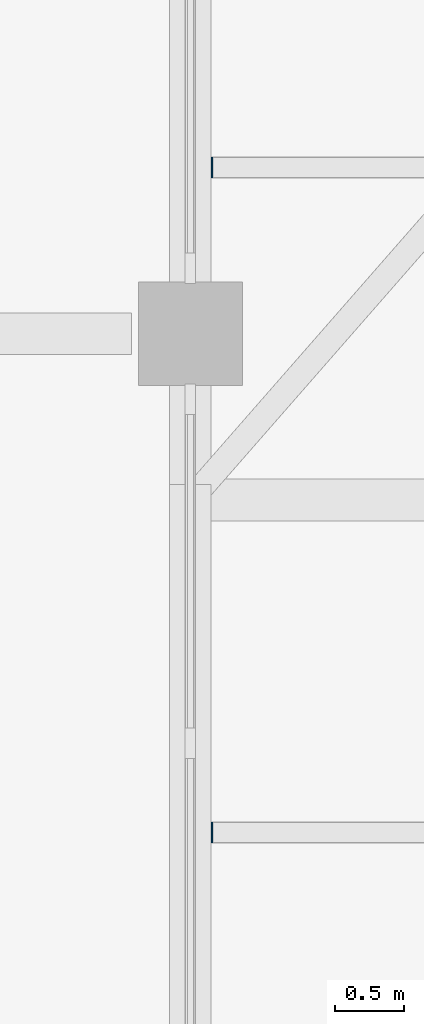
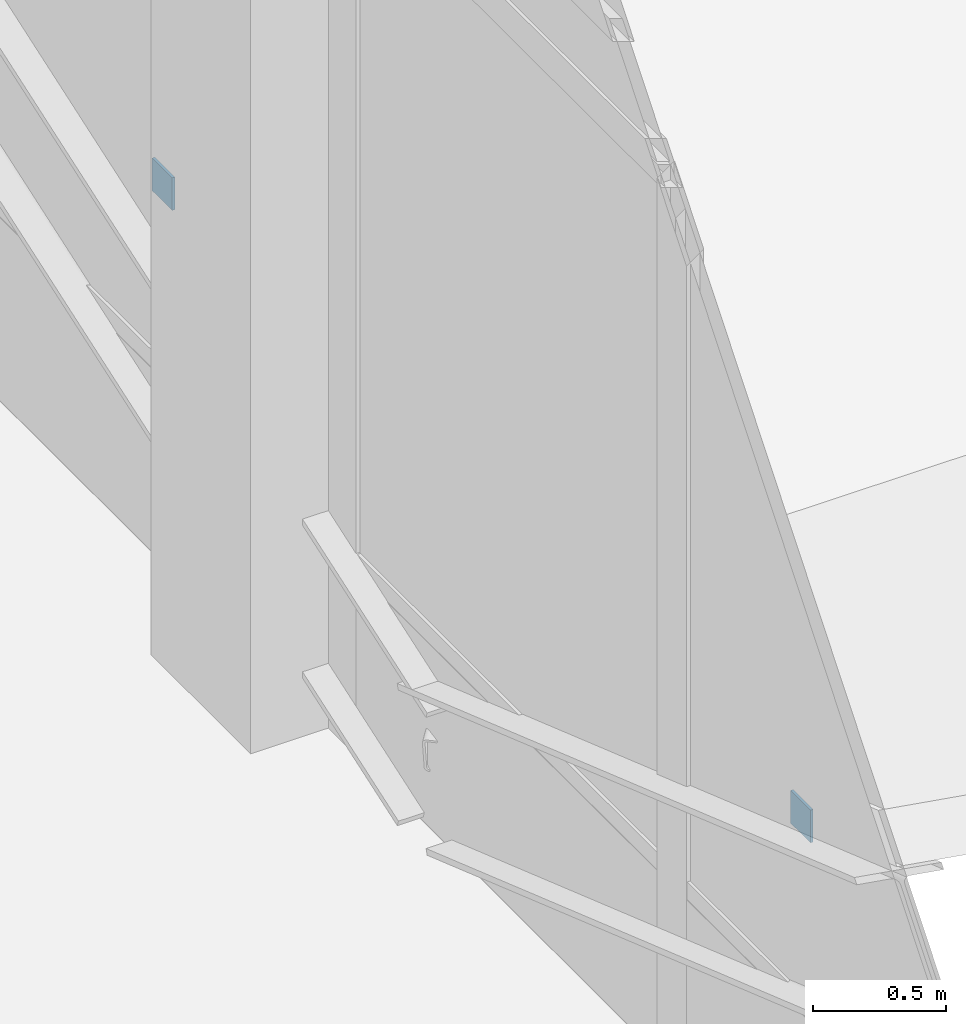
# One storey, part 101 of 110: 2 discrete accessories.
"""IFC4 building model written with IfcOpenShell, lengths in metres."""

import ifcopenshell
import ifcopenshell.guid

model = None  # the IFC model being written
_history = None  # IfcOwnerHistory: only IFC2X3 demands one
_inside = {}  # id of a spatial element -> (the spatial element, [elements in it])
_under = {}  # id of a project, library or spatial element -> (it, [spatial elements below it])
_declared = {}  # id of a project -> (the project, [libraries it declares])
_typed = {}  # id of a type object -> (the type object, [elements of that type])
_made_of = {}  # id of a material, layer set ... -> (it, [elements and type objects made of it])


def new_model(schema):
    """Start an empty IFC model of exactly this schema.

    Asked for "IFC4X3", IfcOpenShell would pick the latest addendum, in which some entities
    have other attributes; the version numbers below select the first issue.
    IFC2X3 requires an IfcOwnerHistory on every rooted entity: one is made here for all.
    """
    global model, _history
    if schema == "IFC4X3":
        model = ifcopenshell.file(schema_version=(4, 3, 0, 0))
    else:
        model = ifcopenshell.file(schema=schema)
    _inside.clear()
    _under.clear()
    _declared.clear()
    _typed.clear()
    _made_of.clear()
    _history = None
    if model.schema == "IFC2X3":
        org = make("IfcOrganization", Name="unknown")
        user = make(
            "IfcPersonAndOrganization",
            ThePerson=make("IfcPerson", FamilyName="unknown"),
            TheOrganization=org,
        )
        app = make(
            "IfcApplication",
            ApplicationDeveloper=org,
            Version="unknown",
            ApplicationFullName="unknown",
            ApplicationIdentifier="unknown",
        )
        _history = make(
            "IfcOwnerHistory",
            OwningUser=user,
            OwningApplication=app,
            ChangeAction="ADDED",
            CreationDate=0,
        )
    return model


def make(cls, **values):
    """One entity of the class cls with the attributes given. An attribute that is None is left unset."""
    return model.create_entity(
        cls, **{name: value for name, value in values.items() if value is not None}
    )


def rooted(cls, **values):
    """An entity with a GlobalId (a new one), such as an element, a storey or a relation."""
    return make(cls, GlobalId=ifcopenshell.guid.new(), OwnerHistory=_history, **values)


def si_unit(unit_type, name, prefix=None):
    """IfcSIUnit, for example si_unit("LENGTHUNIT", "METRE", prefix="MILLI")."""
    return make("IfcSIUnit", UnitType=unit_type, Prefix=prefix, Name=name)


def assignment(units):
    """IfcUnitAssignment: the units of a project."""
    return None if units is None else make("IfcUnitAssignment", Units=units)


def point(xyz):
    """IfcCartesianPoint."""
    return None if xyz is None else make("IfcCartesianPoint", Coordinates=xyz)


def direction(xyz):
    """IfcDirection."""
    return None if xyz is None else make("IfcDirection", DirectionRatios=xyz)


def frame(location, z_axis=None, x_axis=None):
    """IfcAxis2Placement3D, a coordinate frame: its origin and axes. An axis left out is left unset."""
    return make(
        "IfcAxis2Placement3D",
        Location=point(location),
        Axis=direction(z_axis),
        RefDirection=direction(x_axis),
    )


def frame_2d(location, x_axis=None):
    """IfcAxis2Placement2D, a coordinate frame in the plane: its origin and x axis."""
    return make(
        "IfcAxis2Placement2D", Location=point(location), RefDirection=direction(x_axis)
    )


def origin():
    """The frame at (0, 0, 0) with its axes left unset."""
    return frame((0.0, 0.0, 0.0))


def origin_2d():
    """The frame at (0, 0) in the plane with its x axis left unset."""
    return frame_2d((0.0, 0.0))


def place(relative_to, where):
    """IfcLocalPlacement: puts the frame where relative to a parent placement (None: the world)."""
    return make(
        "IfcLocalPlacement", PlacementRelTo=relative_to, RelativePlacement=where
    )


def context(
    kind, dimensions, precision=None, world=None, true_north=None, identifier=None
):
    """IfcGeometricRepresentationContext, for example the 3D "Model" context."""
    return make(
        "IfcGeometricRepresentationContext",
        ContextIdentifier=identifier,
        ContextType=kind,
        CoordinateSpaceDimension=dimensions,
        Precision=precision,
        WorldCoordinateSystem=world,
        TrueNorth=true_north,
    )


def subcontext(parent, identifier, kind, view, scale=None):
    """IfcGeometricRepresentationSubContext, for example "Body" below "Model"."""
    return make(
        "IfcGeometricRepresentationSubContext",
        ContextIdentifier=identifier,
        ContextType=kind,
        ParentContext=parent,
        TargetScale=scale,
        TargetView=view,
    )


def project(units=None, contexts=None):
    """IfcProject with its units and contexts."""
    return rooted(
        "IfcProject",
        Name="project",
        RepresentationContexts=contexts,
        UnitsInContext=assignment(units),
    )


def spatial(cls, under=None, at=None, **own):
    """A site, building, storey or space (cls), placed at a placement, below another one or the project."""
    s = rooted(cls, ObjectPlacement=at, **own)
    if under is not None:
        _under.setdefault(under.id(), (under, []))[1].append(s)
    return s


def profile(cls, at=None, kind="AREA", **sizes):
    """A parametric profile (cls). Its sizes go by their IFC names, for example OverallWidth=200.0."""
    return make(cls, ProfileType=kind, Position=at, **sizes)


def rectangle(**sizes):
    """IfcRectangleProfileDef."""
    return profile("IfcRectangleProfileDef", **sizes)


def extrude(swept, where, along, depth):
    """IfcExtrudedAreaSolid: the profile swept, set in the frame where, extruded along a direction by depth."""
    return make(
        "IfcExtrudedAreaSolid",
        SweptArea=swept,
        Position=where,
        ExtrudedDirection=direction(along),
        Depth=depth,
    )


def shape(context_of_items, identifier, shape_type, items):
    """IfcShapeRepresentation: the items that make up one representation, for example the "Body"."""
    return make(
        "IfcShapeRepresentation",
        ContextOfItems=context_of_items,
        RepresentationIdentifier=identifier,
        RepresentationType=shape_type,
        Items=items,
    )


def material(Name=None, Category=None):
    """IfcMaterial."""
    return make("IfcMaterial", Name=Name, Category=Category)


def made_of(thing, what):
    """Note that an element or type object is made of a material, layer set ...; save() writes the relation."""
    if what is not None:
        _made_of.setdefault(what.id(), (what, []))[1].append(thing)
    return thing


def type_object(cls, material=None, **own):
    """A type object (cls), such as IfcWallType, which elements share."""
    return made_of(rooted(cls, **own), material)


def element(
    cls,
    number,
    at=None,
    inside=None,
    cuts=None,
    type_object=None,
    material=None,
    context=None,
    identifier="Body",
    shape_type=None,
    held_by="IfcProductDefinitionShape",
    body=None,
    shapes=None,
    **own,
):
    """One element of the class cls, such as IfcWall. Its Tag is "e" and its number.

    at: its placement. inside: the storey or other place that contains it. cuts: it is an
    opening in that element (IfcRelVoidsElement). A single representation is given by context,
    identifier, shape_type and body (its items); several are given by shapes. held_by: the class
    of the entity that holds the representations. save() writes the other relations.
    """
    e = rooted(cls, Tag="e%d" % number, ObjectPlacement=at, **own)
    if body is not None:
        shapes = [shape(context, identifier, shape_type, body)]
    if shapes is not None:
        e.Representation = make(held_by, Representations=shapes)
    if inside is not None:
        _inside.setdefault(inside.id(), (inside, []))[1].append(e)
    if cuts is not None:
        rooted(
            "IfcRelVoidsElement", RelatingBuildingElement=cuts, RelatedOpeningElement=e
        )
    if type_object is not None:
        _typed.setdefault(type_object.id(), (type_object, []))[1].append(e)
    return made_of(e, material)


def aggregate(whole, parts):
    """IfcRelAggregates: a whole, such as a stair, and the parts it consists of."""
    return rooted("IfcRelAggregates", RelatingObject=whole, RelatedObjects=parts)


def save(model, path):
    """Write the relations noted so far, then the file.

    IfcRelAggregates (storeys below a building ...), IfcRelContainedInSpatialStructure (elements
    in a storey), IfcRelDefinesByType, IfcRelAssociatesMaterial and IfcRelDeclares: one each for
    every whole, place, type object, material and project.
    """
    for whole, parts in _under.values():
        aggregate(whole, parts)
    for where, things in _inside.values():
        rooted(
            "IfcRelContainedInSpatialStructure",
            RelatedElements=things,
            RelatingStructure=where,
        )
    for kind, things in _typed.values():
        rooted("IfcRelDefinesByType", RelatedObjects=things, RelatingType=kind)
    for what, things in _made_of.values():
        rooted("IfcRelAssociatesMaterial", RelatedObjects=things, RelatingMaterial=what)
    for by, libraries in _declared.values():
        rooted("IfcRelDeclares", RelatingContext=by, RelatedDefinitions=libraries)
    model.write(path)


model = new_model("IFC4")

# Units and contexts
model_context = context("Model", 3, precision=1e-05, world=origin(), true_north=direction((0.0, 1.0)))
body_context = subcontext(model_context, "Body", "Model", "MODEL_VIEW")
ifc_project = project(units=[si_unit("LENGTHUNIT", "METRE"), si_unit("AREAUNIT", "SQUARE_METRE"), si_unit("VOLUMEUNIT", "CUBIC_METRE"), si_unit("PLANEANGLEUNIT", "RADIAN"), si_unit("MASSUNIT", "GRAM", prefix="KILO")], contexts=[model_context])

# Site, building, storey
site_placement = place(None, origin())
site = spatial("IfcSite", under=ifc_project, at=site_placement, CompositionType="ELEMENT")
building_placement = place(site_placement, origin())
building = spatial("IfcBuilding", under=site, at=building_placement, Name="Qawsi Khor Wholesale Market", CompositionType="ELEMENT")
storey_placement = place(building_placement, frame((0.0, 0.0, 11.39990234375)))
storey = spatial("IfcBuildingStorey", under=building, at=storey_placement, Name="L02", CompositionType="ELEMENT", Elevation=11.39990234375)

# Discrete accessories
ifc_material = material(Name="Steel S355", Category="steel")
discrete_accessory_type = type_object("IfcDiscreteAccessoryType", Name="Purlin End Cleat Plate 12 S355", PredefinedType="BRACKET", material=ifc_material)
for number, where, z_axis, x_axis, name in (
    (1, (75.756103515625, 97.199951171875, 1.408447265625), (0.0, 0.0, 1.0), (1.0, 0.0, 0.0), "Auction roof purlin 10-2 end cleat W"),
    (2, (75.756103515625, 102.0, 1.400146484375), (0.0, 0.0, 1.0), (1.0, 0.0, 0.0), "Auction roof purlin 10-3 end cleat W"),
):
    element("IfcDiscreteAccessory", number, at=place(storey_placement, frame(where, z_axis=z_axis, x_axis=x_axis)), inside=storey, type_object=discrete_accessory_type, Name=name, PredefinedType="BRACKET", context=body_context, shape_type="SweptSolid", body=[
        extrude(rectangle(XDim=0.011962890625, YDim=0.14990234375, at=origin_2d()), origin(), (0.0, 0.0, 1.0), 0.14990234375),
    ])

save(model, "model.ifc")
